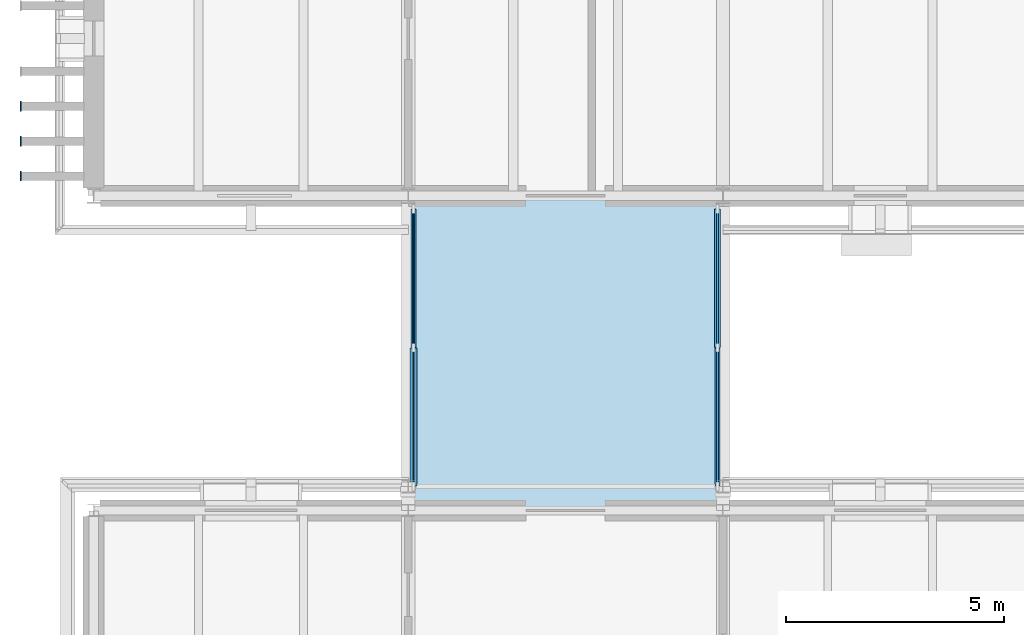
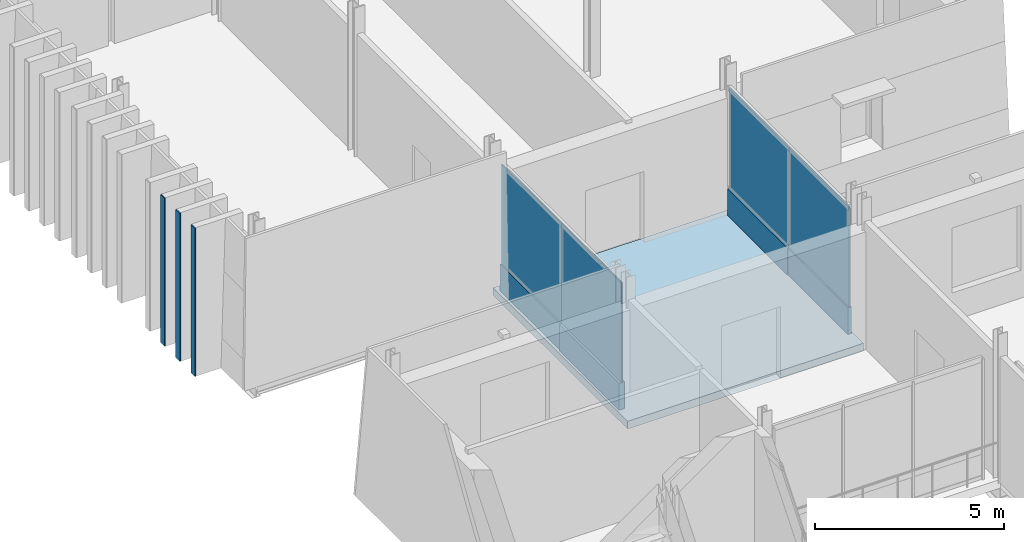
# One storey, part 51 of 121: 11 plates, 1 slab, 2 elements without a shape of their own.
"""IFC4 building model written with IfcOpenShell, lengths in metres."""

from ifc_helpers import new_model, si_unit, direction, frame, origin, origin_2d, place, context, subcontext, project, spatial, polyline, rectangle, outline, extrude, material, layer, layer_set, type_object, element, aggregate, save


model = new_model("IFC4")

# Units and contexts
model_context = context("Model", 3, precision=1e-05, world=origin(), true_north=direction((0.0, 1.0)))
body_context = subcontext(model_context, "Body", "Model", "MODEL_VIEW")
ifc_project = project(units=[si_unit("LENGTHUNIT", "METRE"), si_unit("AREAUNIT", "SQUARE_METRE"), si_unit("VOLUMEUNIT", "CUBIC_METRE"), si_unit("PLANEANGLEUNIT", "RADIAN"), si_unit("MASSUNIT", "GRAM", prefix="KILO")], contexts=[model_context])

# Site, building, storey
site_placement = place(None, origin())
site = spatial("IfcSite", under=ifc_project, at=site_placement, CompositionType="ELEMENT")
building_placement = place(site_placement, origin())
building = spatial("IfcBuilding", under=site, at=building_placement, Name="Narikvali Park Central Library", CompositionType="ELEMENT")
storey_placement = place(building_placement, frame((0.0, 0.0, 5.39990234375)))
storey = spatial("IfcBuildingStorey", under=building, at=storey_placement, Name="L01", CompositionType="ELEMENT", Elevation=5.39990234375)

# Slab
ifc_material_1 = material(Name="Concrete C40/50", Category="concrete")
ifc_layer_1 = layer(ifc_material_1, 0.25, Name="Concrete C40/50")
ifc_layer_set_1 = layer_set([ifc_layer_1], Name="Concrete C40/50")
slab_type = type_object("IfcSlabType", Name="Bridge Sliding Deck Slab 250", PredefinedType="FLOOR", material=ifc_layer_set_1)
slab_placement = place(storey_placement, frame((0.0, 0.0, -0.25)))
element("IfcSlab", 1, at=slab_placement, inside=storey, type_object=slab_type, Name="BRG-5 L01 Covered Bridge Deck", PredefinedType="FLOOR", context=body_context, shape_type="SweptSolid", body=[
    extrude(outline(polyline([(7.199951171875, 21.639892578125), (14.39990234375, 21.639892578125), (14.39990234375, 28.760009765625), (7.199951171875, 28.760009765625), (7.199951171875, 21.639892578125)])), origin(), (0.0, 0.0, 1.0), 0.25),
])

# Curtain wall, plates
ifc_material_2 = material(Name="Anodised Bronze Aluminium", Category="aluminium")
ifc_layer_2 = layer(ifc_material_2, 0.219970703125, Name="Anodised Bronze Aluminium")
ifc_layer_set_2 = layer_set([ifc_layer_2], Name="Anodised Bronze Aluminium")
curtain_wall_type = type_object("IfcCurtainWallType", Name="Bridge Covered Passage Glazing System", PredefinedType="NOTDEFINED", material=ifc_layer_set_2)
curtain_wall_1_placement = place(storey_placement, origin())
curtain_wall_1 = element("IfcCurtainWall", 2, at=curtain_wall_1_placement, inside=storey, type_object=curtain_wall_type, Name="Bridge Covered Passage Glazing System CW-BRG-5-L01-W1", PredefinedType="NOTDEFINED")
ifc_material_3 = material(Name="Anodised Bronze Acoustic Spandrel Cassette")
ifc_layer_3 = layer(ifc_material_3, 0.1650390625, Name="Anodised Bronze Acoustic Spandrel Cassette")
ifc_layer_set_3 = layer_set([ifc_layer_3], Name="Anodised Bronze Acoustic Spandrel Cassette")
plate_type_1 = type_object("IfcPlateType", Name="Curtain Wall Acoustic Plenum Louvre Cassette 165", PredefinedType="CURTAIN_PANEL", material=ifc_layer_set_3)
plate_1_placement = place(storey_placement, frame((7.320068359375, 23.737548828125, 0.03515625), z_axis=(0.0, 0.0, 1.0), x_axis=(0.0, 1.0, 0.0)))
plate_1 = element("IfcPlate", 3, at=plate_1_placement, type_object=plate_type_1, Name="CW-BRG-5-L01-W1 Panel 00-0", PredefinedType="CURTAIN_PANEL", context=body_context, shape_type="SweptSolid", body=[
    extrude(rectangle(XDim=3.1650390625, YDim=0.1650390625, at=origin_2d()), origin(), (0.0, 0.0, 1.0), 0.860107421875),
])
ifc_material_4 = material(Name="Double Low-E Tempered Vision Glazing", Category="glass")
ifc_layer_4 = layer(ifc_material_4, 0.035888671875, Name="Double Low-E Tempered Vision Glazing")
ifc_layer_set_4 = layer_set([ifc_layer_4], Name="Double Low-E Tempered Vision Glazing")
plate_type_2 = type_object("IfcPlateType", Name="Curtain Wall Double Low-E Vision Glazing 36", PredefinedType="CURTAIN_PANEL", material=ifc_layer_set_4)
plate_2_placement = place(storey_placement, frame((7.320068359375, 23.737548828125, 0.905029296875), z_axis=(0.0, 0.0, 1.0), x_axis=(0.0, 1.0, 0.0)))
plate_2 = element("IfcPlate", 4, at=plate_2_placement, type_object=plate_type_2, Name="CW-BRG-5-L01-W1 Panel 00-1", PredefinedType="CURTAIN_PANEL", context=body_context, shape_type="SweptSolid", body=[
    extrude(rectangle(XDim=3.1650390625, YDim=0.035888671875, at=origin_2d()), origin(), (0.0, 0.0, 1.0), 3.2099609375),
])
plate_3_placement = place(storey_placement, frame((7.320068359375, 26.91259765625, 0.905029296875), z_axis=(0.0, 0.0, 1.0), x_axis=(0.0, 1.0, 0.0)))
plate_3 = element("IfcPlate", 5, at=plate_3_placement, type_object=plate_type_2, Name="CW-BRG-5-L01-W1 Panel 01-1", PredefinedType="CURTAIN_PANEL", context=body_context, shape_type="SweptSolid", body=[
    extrude(rectangle(XDim=3.1650390625, YDim=0.035888671875, at=origin_2d()), origin(), (0.0, 0.0, 1.0), 3.2099609375),
])
ifc_material_5 = material(Name="Anodised Bronze Insulated Spandrel Cassette")
ifc_layer_5 = layer(ifc_material_5, 0.110107421875, Name="Anodised Bronze Insulated Spandrel Cassette")
ifc_layer_set_5 = layer_set([ifc_layer_5], Name="Anodised Bronze Insulated Spandrel Cassette")
plate_type_3 = type_object("IfcPlateType", Name="Curtain Wall Insulated Bronze Spandrel Cassette 110", PredefinedType="CURTAIN_PANEL", material=ifc_layer_set_5)
plate_4_placement = place(storey_placement, frame((7.320068359375, 26.91259765625, 0.03515625), z_axis=(0.0, 0.0, 1.0), x_axis=(0.0, 1.0, 0.0)))
plate_4 = element("IfcPlate", 6, at=plate_4_placement, type_object=plate_type_3, Name="CW-BRG-5-L01-W1 Panel 01-0", PredefinedType="CURTAIN_PANEL", context=body_context, shape_type="SweptSolid", body=[
    extrude(rectangle(XDim=3.1650390625, YDim=0.110107421875, at=origin_2d()), origin(), (0.0, 0.0, 1.0), 0.860107421875),
])
aggregate(curtain_wall_1, [plate_1, plate_2, plate_4, plate_3])

curtain_wall_2_placement = place(storey_placement, origin())
curtain_wall_2 = element("IfcCurtainWall", 7, at=curtain_wall_2_placement, inside=storey, type_object=curtain_wall_type, Name="Bridge Covered Passage Glazing System CW-BRG-5-L01-E1", PredefinedType="NOTDEFINED")
plate_5_placement = place(storey_placement, frame((14.280029296875, 23.737548828125, 0.03515625), z_axis=(0.0, 0.0, 1.0), x_axis=(0.0, 1.0, 0.0)))
plate_5 = element("IfcPlate", 8, at=plate_5_placement, type_object=plate_type_3, Name="CW-BRG-5-L01-E1 Panel 00-0", PredefinedType="CURTAIN_PANEL", context=body_context, shape_type="SweptSolid", body=[
    extrude(rectangle(XDim=3.1650390625, YDim=0.110107421875, at=origin_2d()), origin(), (0.0, 0.0, 1.0), 0.860107421875),
])
ifc_material_6 = material(Name="Mineral-Wool Shadow-Box Spandrel Assembly")
ifc_layer_6 = layer(ifc_material_6, 0.139892578125, Name="Mineral-Wool Shadow-Box Spandrel Assembly")
ifc_layer_set_6 = layer_set([ifc_layer_6], Name="Mineral-Wool Shadow-Box Spandrel Assembly")
plate_type_4 = type_object("IfcPlateType", Name="Curtain Wall Shadow-Box Mineral Spandrel Panel 140", PredefinedType="CURTAIN_PANEL", material=ifc_layer_set_6)
plate_6_placement = place(storey_placement, frame((14.280029296875, 26.91259765625, 0.03515625), z_axis=(0.0, 0.0, 1.0), x_axis=(0.0, 1.0, 0.0)))
plate_6 = element("IfcPlate", 9, at=plate_6_placement, type_object=plate_type_4, Name="CW-BRG-5-L01-E1 Panel 01-0", PredefinedType="CURTAIN_PANEL", context=body_context, shape_type="SweptSolid", body=[
    extrude(rectangle(XDim=3.1650390625, YDim=0.139892578125, at=origin_2d()), origin(), (0.0, 0.0, 1.0), 0.860107421875),
])
ifc_material_7 = material(Name="Triple Low-E Acoustic Laminated Glazing", Category="glass")
ifc_layer_7 = layer(ifc_material_7, 0.048095703125, Name="Triple Low-E Acoustic Laminated Glazing")
ifc_layer_set_7 = layer_set([ifc_layer_7], Name="Triple Low-E Acoustic Laminated Glazing")
plate_type_5 = type_object("IfcPlateType", Name="Curtain Wall Triple Solar-Acoustic Glazing 48", PredefinedType="CURTAIN_PANEL", material=ifc_layer_set_7)
plate_7_placement = place(storey_placement, frame((14.280029296875, 23.737548828125, 0.905029296875), z_axis=(0.0, 0.0, 1.0), x_axis=(0.0, 1.0, 0.0)))
plate_7 = element("IfcPlate", 10, at=plate_7_placement, type_object=plate_type_5, Name="CW-BRG-5-L01-E1 Panel 00-1", PredefinedType="CURTAIN_PANEL", context=body_context, shape_type="SweptSolid", body=[
    extrude(rectangle(XDim=3.1650390625, YDim=0.048095703125, at=origin_2d()), origin(), (0.0, 0.0, 1.0), 3.2099609375),
])
plate_8_placement = place(storey_placement, frame((14.280029296875, 26.91259765625, 0.905029296875), z_axis=(0.0, 0.0, 1.0), x_axis=(0.0, 1.0, 0.0)))
plate_8 = element("IfcPlate", 11, at=plate_8_placement, type_object=plate_type_5, Name="CW-BRG-5-L01-E1 Panel 01-1", PredefinedType="CURTAIN_PANEL", context=body_context, shape_type="SweptSolid", body=[
    extrude(rectangle(XDim=3.1650390625, YDim=0.048095703125, at=origin_2d()), origin(), (0.0, 0.0, 1.0), 3.2099609375),
])
aggregate(curtain_wall_2, [plate_5, plate_7, plate_6, plate_8])

# Plates
ifc_layer_8 = layer(ifc_material_2, 0.028076171875, Name="Anodised Bronze Aluminium")
ifc_layer_set_8 = layer_set([ifc_layer_8], Name="Anodised Bronze Aluminium")
plate_type_6 = type_object("IfcPlateType", Name="Vertical Brick Fin Bronze Bullnose Cap 28", PredefinedType="SHEET", material=ifc_layer_set_8)
for number, where, z_axis, x_axis, name in (
    (12, (-1.672119140625, 29.25, 0.01025390625), (0.0, 0.0, 1.0), (1.0, 0.0, 0.0), "West Stacks Fin Bullnose Trim 002"),
    (13, (-1.672119140625, 30.050048828125, 0.01025390625), (0.0, 0.0, 1.0), (1.0, 0.0, 0.0), "West Stacks Fin Bullnose Trim 006"),
    (14, (-1.672119140625, 30.85009765625, 0.01025390625), (0.0, 0.0, 1.0), (1.0, 0.0, 0.0), "West Stacks Fin Bullnose Trim 010"),
):
    element("IfcPlate", number, at=place(storey_placement, frame(where, z_axis=z_axis, x_axis=x_axis)), inside=storey, type_object=plate_type_6, Name=name, PredefinedType="SHEET", context=body_context, shape_type="SweptSolid", body=[
        extrude(rectangle(XDim=0.028076171875, YDim=0.219970703125, at=origin_2d()), origin(), (0.0, 0.0, 1.0), 4.780029296875),
    ])

save(model, "model.ifc")
